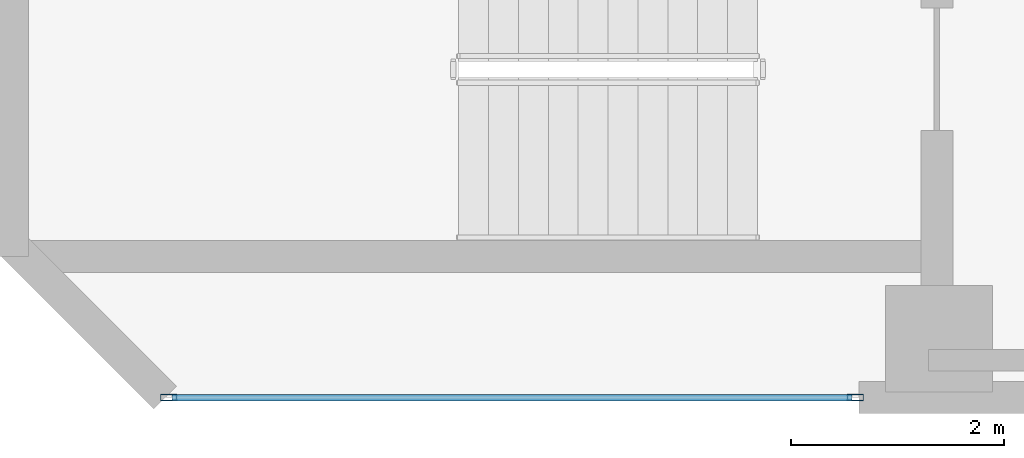
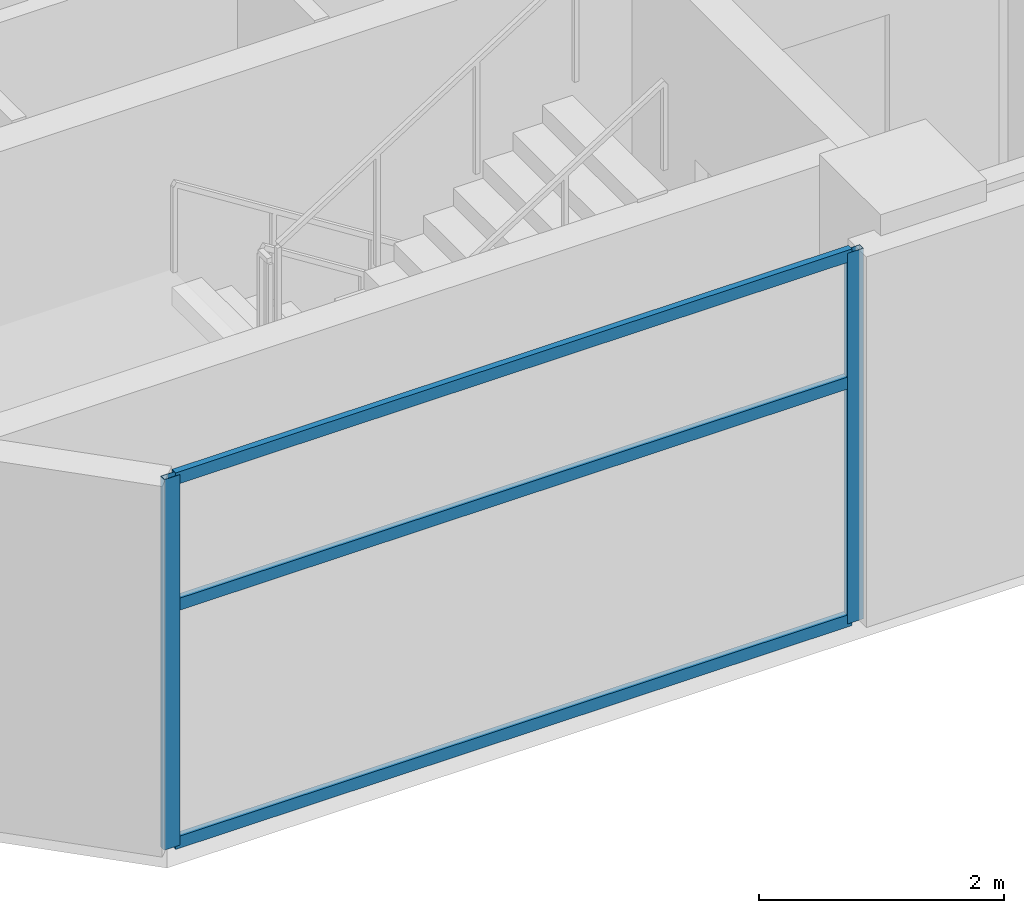
# One storey, part 2 of 15: 5 members, 1 element without a shape of its own.
"""IFC4 building model written with IfcOpenShell, lengths in metres."""

from ifc_helpers import new_model, si_unit, direction, frame, origin, origin_2d, place, context, subcontext, project, spatial, hollow_rectangle, extrude, material, layer, layer_set, material_profile, profile_set, type_object, element, aggregate, save


model = new_model("IFC4")

# Units and contexts
model_context = context("Model", 3, precision=1e-05, world=origin(), true_north=direction((0.0, 1.0)))
body_context = subcontext(model_context, "Body", "Model", "MODEL_VIEW")
ifc_project = project(units=[si_unit("LENGTHUNIT", "METRE"), si_unit("AREAUNIT", "SQUARE_METRE"), si_unit("VOLUMEUNIT", "CUBIC_METRE"), si_unit("PLANEANGLEUNIT", "RADIAN"), si_unit("MASSUNIT", "GRAM", prefix="KILO")], contexts=[model_context])

# Site, building, storey
site_placement = place(None, origin())
site = spatial("IfcSite", under=ifc_project, at=site_placement, CompositionType="ELEMENT")
building_placement = place(site_placement, origin())
building = spatial("IfcBuilding", under=site, at=building_placement, Name="Mawjaban Terraces University", CompositionType="ELEMENT")
storey_placement = place(building_placement, frame((0.0, 0.0, 207.0)))
storey = spatial("IfcBuildingStorey", under=building, at=storey_placement, Name="L50", CompositionType="ELEMENT", Elevation=207.0)

# Curtain wall, members
ifc_material_1 = material(Name="Anodised aluminium 6063-T6 and solar-control low-E glass", Category="aluminium")
ifc_layer = layer(ifc_material_1, 0.159912109375)
ifc_layer_set = layer_set([ifc_layer], Name="Anodised aluminium 6063-T6 and solar-control low-E glass")
curtain_wall_type = type_object("IfcCurtainWallType", Name="CWSystem_03_NorthWing", PredefinedType="NOTDEFINED", material=ifc_layer_set)
curtain_wall_placement = place(storey_placement, origin())
curtain_wall = element("IfcCurtainWall", 1, at=curtain_wall_placement, inside=storey, type_object=curtain_wall_type, Name="L50 Curtain Wall CW-03 Run 1.1", PredefinedType="NOTDEFINED")
ifc_material_2 = material(Name="Anodised aluminium 6063-T6", Category="aluminium")
ifc_material_profile_1 = material_profile(ifc_material_2, hollow_rectangle(XDim=0.06005859375, YDim=0.14990234375, WallThickness=0.00390625, at=origin_2d()), Name="ALU150X60X4")
ifc_profile_set_1 = profile_set([ifc_material_profile_1], Name="Anodised aluminium 6063-T6")
member_type_1 = type_object("IfcMemberType", Name="Mullion_CW-03", PredefinedType="MULLION", material=ifc_profile_set_1)
member_1_placement = place(storey_placement, frame((24.532470703125, 0.0, 0.0), z_axis=(0.0, 0.0, 1.0), x_axis=(0.0, 1.0, 0.0)))
member_1 = element("IfcMember", 2, at=member_1_placement, type_object=member_type_1, Name="CW-03 mullion 1", PredefinedType="MULLION", context=body_context, shape_type="SweptSolid", body=[
    extrude(hollow_rectangle(XDim=0.06005859375, YDim=0.14990234375, WallThickness=0.00390625, at=origin_2d()), origin(), (0.0, 0.0, 1.0), 3.68994140625),
])
member_2_placement = place(storey_placement, frame((30.967529296875, 0.0, 0.0), z_axis=(0.0, 0.0, 1.0), x_axis=(0.0, 1.0, 0.0)))
member_2 = element("IfcMember", 3, at=member_2_placement, type_object=member_type_1, Name="CW-03 mullion 2", PredefinedType="MULLION", context=body_context, shape_type="SweptSolid", body=[
    extrude(hollow_rectangle(XDim=0.06005859375, YDim=0.14990234375, WallThickness=0.00390625, at=origin_2d()), origin(), (0.0, 0.0, 1.0), 3.68994140625),
])
ifc_material_profile_2 = material_profile(ifc_material_2, hollow_rectangle(XDim=0.06005859375, YDim=0.1201171875, WallThickness=0.00341796875, at=origin_2d()), Name="ALU120X60X3.5")
ifc_profile_set_2 = profile_set([ifc_material_profile_2], Name="Anodised aluminium 6063-T6")
member_type_2 = type_object("IfcMemberType", Name="Transom_CW-03", PredefinedType="NOTDEFINED", material=ifc_profile_set_2)
member_3_placement = place(storey_placement, frame((24.56494140625, 0.0, 0.030029296875), z_axis=(1.0, 0.0, 0.0), x_axis=(0.0, 1.0, 0.0)))
member_3 = element("IfcMember", 4, at=member_3_placement, type_object=member_type_2, Name="CW-03 transom 1.1", ObjectType="TRANSOM", PredefinedType="USERDEFINED", context=body_context, shape_type="SweptSolid", body=[
    extrude(hollow_rectangle(XDim=0.06005859375, YDim=0.1201171875, WallThickness=0.00341796875, at=origin_2d()), origin(), (0.0, 0.0, 1.0), 6.3701171875),
])
member_4_placement = place(storey_placement, frame((24.56494140625, 0.0, 2.39892578125), z_axis=(1.0, 0.0, 0.0), x_axis=(0.0, 1.0, 0.0)))
member_4 = element("IfcMember", 5, at=member_4_placement, type_object=member_type_2, Name="CW-03 transom 1.2", ObjectType="TRANSOM", PredefinedType="USERDEFINED", context=body_context, shape_type="SweptSolid", body=[
    extrude(hollow_rectangle(XDim=0.06005859375, YDim=0.1201171875, WallThickness=0.00341796875, at=origin_2d()), origin(), (0.0, 0.0, 1.0), 6.3701171875),
])
member_5_placement = place(storey_placement, frame((24.56494140625, 0.0, 3.659912109375), z_axis=(1.0, 0.0, 0.0), x_axis=(0.0, 1.0, 0.0)))
member_5 = element("IfcMember", 6, at=member_5_placement, type_object=member_type_2, Name="CW-03 transom 1.3", ObjectType="TRANSOM", PredefinedType="USERDEFINED", context=body_context, shape_type="SweptSolid", body=[
    extrude(hollow_rectangle(XDim=0.06005859375, YDim=0.1201171875, WallThickness=0.00341796875, at=origin_2d()), origin(), (0.0, 0.0, 1.0), 6.3701171875),
])
aggregate(curtain_wall, [member_1, member_2, member_3, member_4, member_5])

save(model, "model.ifc")
